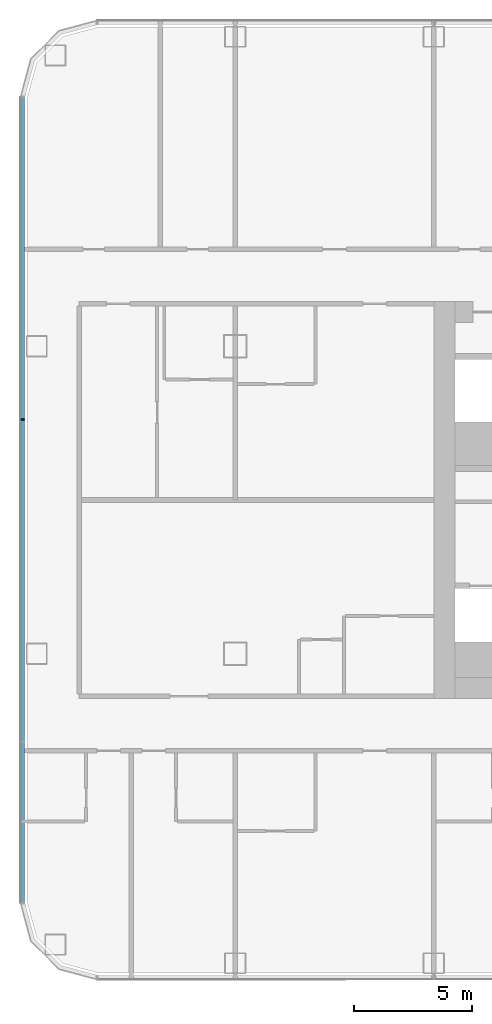
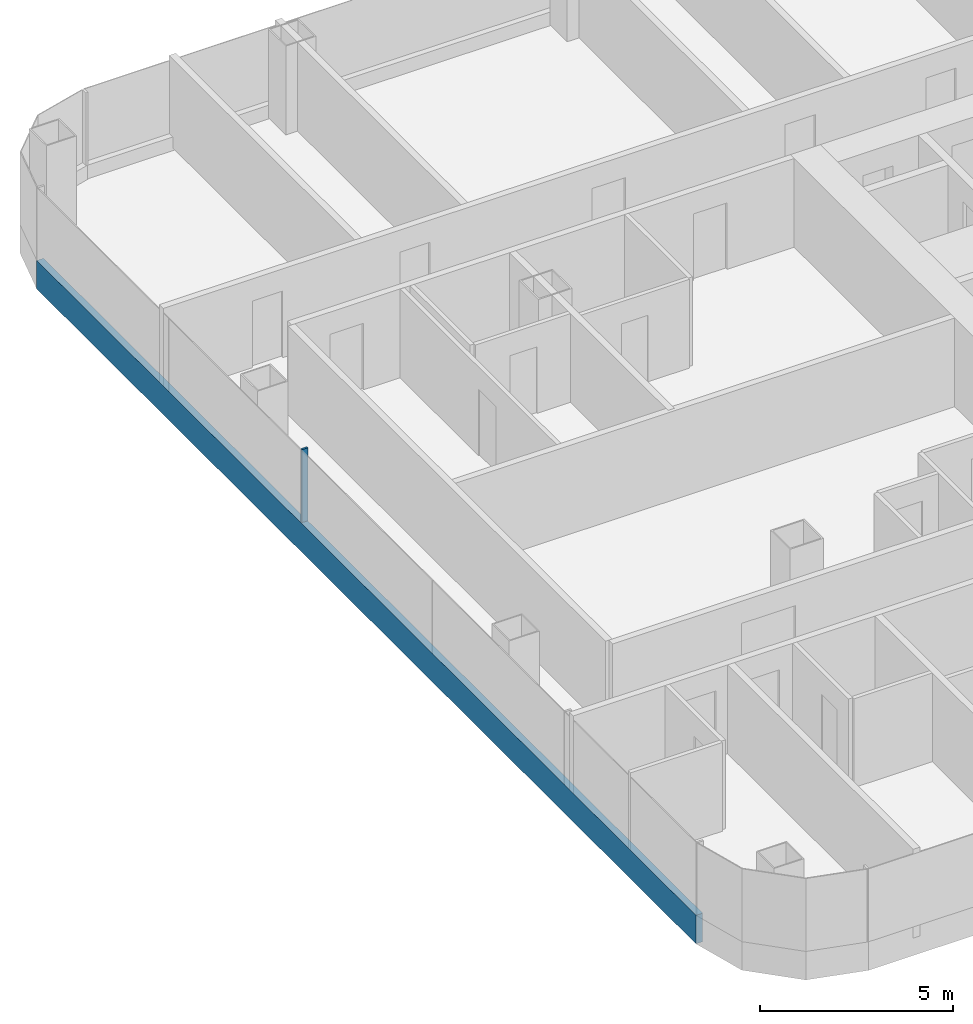
# One storey, part 3 of 29: 2 members, 1 element without a shape of its own.
"""IFC4 building model written with IfcOpenShell, lengths in metres."""

from ifc_helpers import new_model, si_unit, direction, frame, origin, origin_2d, place, context, subcontext, project, spatial, rectangle, extrude, material, layer, layer_set, material_profile, profile_set, type_object, element, aggregate, save


model = new_model("IFC4")

# Units and contexts
model_context = context("Model", 3, precision=1e-05, world=origin(), true_north=direction((0.0, 1.0)))
body_context = subcontext(model_context, "Body", "Model", "MODEL_VIEW")
ifc_project = project(units=[si_unit("LENGTHUNIT", "METRE"), si_unit("AREAUNIT", "SQUARE_METRE"), si_unit("VOLUMEUNIT", "CUBIC_METRE"), si_unit("PLANEANGLEUNIT", "RADIAN"), si_unit("MASSUNIT", "GRAM", prefix="KILO")], contexts=[model_context])

# Site, building, storey
site_placement = place(None, origin())
site = spatial("IfcSite", under=ifc_project, at=site_placement, CompositionType="ELEMENT")
building_placement = place(site_placement, origin())
building = spatial("IfcBuilding", under=site, at=building_placement, Name="Hakoniwa Tower and Hamabe Station Hall", CompositionType="ELEMENT")
storey_placement = place(building_placement, frame((0.0, 0.0, 45.39990234375)))
storey = spatial("IfcBuildingStorey", under=building, at=storey_placement, Name="L12", CompositionType="ELEMENT", Elevation=45.39990234375)

# Curtain wall, members
ifc_material_1 = material(Name="Dark low-e laminated glass", Category="glass")
ifc_layer = layer(ifc_material_1, 0.199951171875)
ifc_layer_set = layer_set([ifc_layer], Name="CW-1 UNITISED GUEST")
curtain_wall_type = type_object("IfcCurtainWallType", Name="CW-1 UNITISED GUEST", PredefinedType="NOTDEFINED", material=ifc_layer_set)
curtain_wall_placement = place(storey_placement, origin())
curtain_wall = element("IfcCurtainWall", 1, at=curtain_wall_placement, inside=storey, type_object=curtain_wall_type, Name="CW-1 curtain wall", PredefinedType="NOTDEFINED")
ifc_material_2 = material(Name="Aluminium 6063-T5 black anodised", Category="aluminium")
ifc_material_profile_1 = material_profile(ifc_material_2, rectangle(XDim=0.199951171875, YDim=0.89990234375, at=origin_2d()), Name="CW SLAB-EDGE BAND 900X200")
ifc_profile_set_1 = profile_set([ifc_material_profile_1], Name="Aluminium 6063-T5 black anodised")
member_type_1 = type_object("IfcMemberType", Name="CW SLAB-EDGE BAND 900X200", PredefinedType="USERDEFINED", material=ifc_profile_set_1)
member_1_placement = place(storey_placement, frame((-51.0, 17.03955078125, -0.099853515625), z_axis=(0.0, -1.0, 0.0), x_axis=(1.0, 0.0, 0.0)))
member_1 = element("IfcMember", 2, at=member_1_placement, type_object=member_type_1, Name="CW-1 transom", ObjectType="TRANSOM", PredefinedType="USERDEFINED", context=body_context, shape_type="SweptSolid", body=[
    extrude(rectangle(XDim=0.199951171875, YDim=0.89990234375, at=origin_2d()), origin(), (0.0, 0.0, 1.0), 34.0791015625),
])
ifc_material_3 = material(Name="Aluminium 6063-T5 black anodised", Category="aluminium")
ifc_material_profile_2 = material_profile(ifc_material_3, rectangle(XDim=0.06005859375, YDim=0.179931640625, at=origin_2d()), Name="CW-1 MULLION 60X180")
ifc_profile_set_2 = profile_set([ifc_material_profile_2], Name="Aluminium 6063-T5 black anodised")
member_type_2 = type_object("IfcMemberType", Name="CW-1 MULLION 60X180", PredefinedType="MULLION", material=ifc_profile_set_2)
member_2_placement = place(storey_placement, frame((-50.98193359375, 3.407958984375, 0.35009765625), z_axis=(0.0, 0.0, 1.0), x_axis=(0.0, -1.0, 0.0)))
member_2 = element("IfcMember", 3, at=member_2_placement, type_object=member_type_2, Name="CW-1 mullion", PredefinedType="MULLION", context=body_context, shape_type="SweptSolid", body=[
    extrude(rectangle(XDim=0.06005859375, YDim=0.179931640625, at=origin_2d()), origin(), (0.0, 0.0, 1.0), 2.300048828125),
])
aggregate(curtain_wall, [member_2, member_1])

save(model, "model.ifc")
